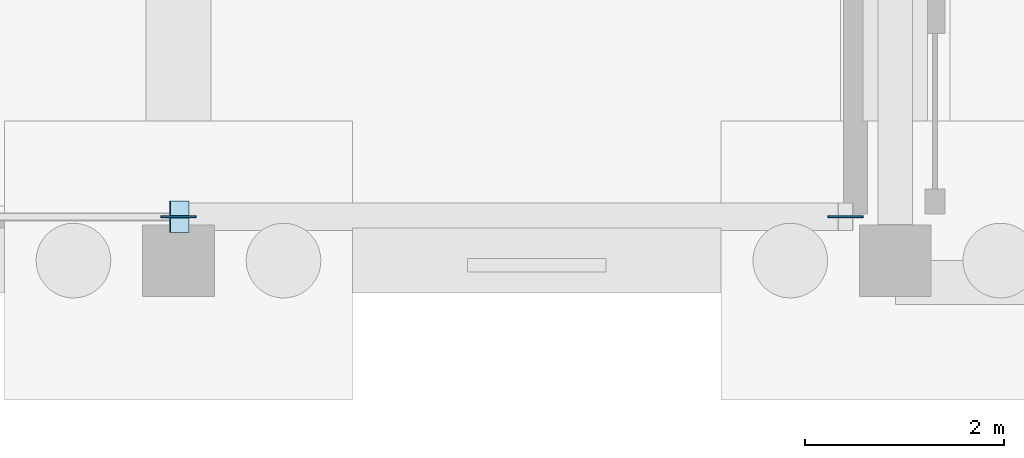
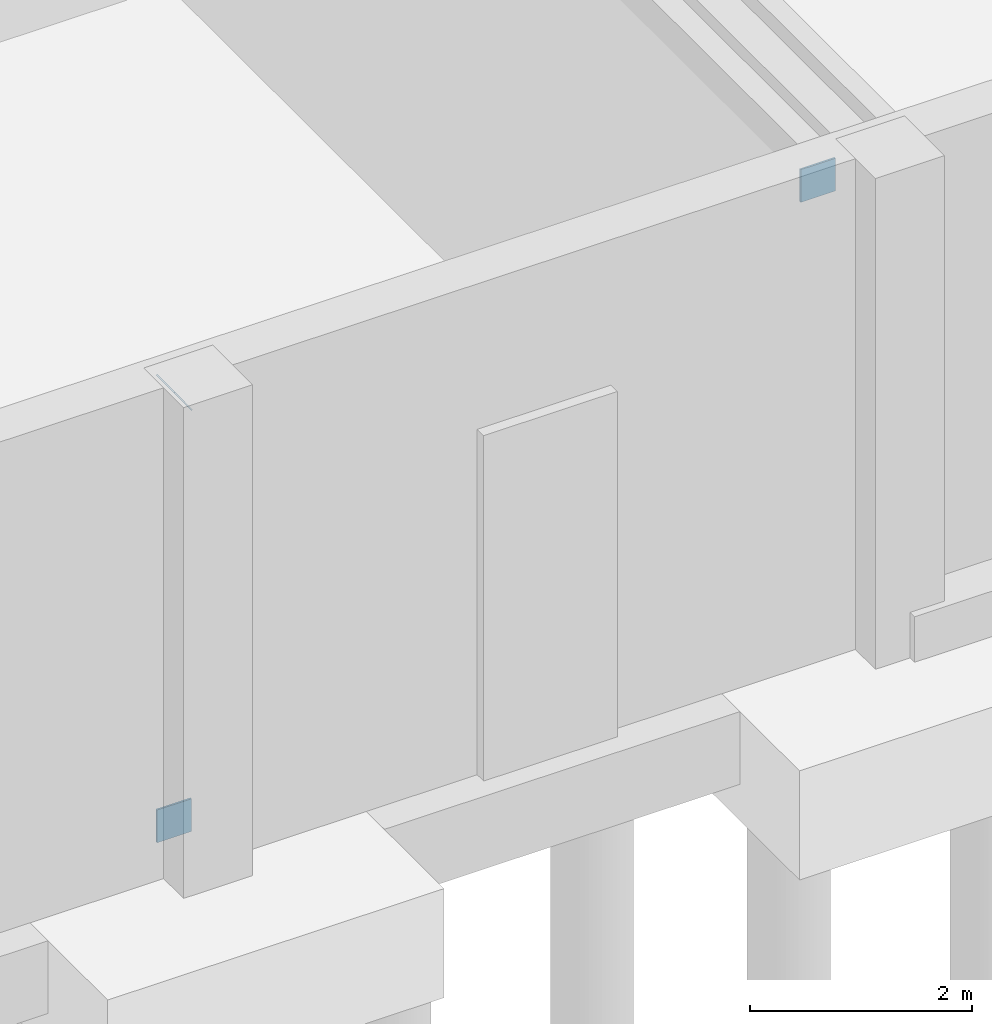
# One storey, part 62 of 91: 3 plates.
"""IFC4 building model written with IfcOpenShell, lengths in metres."""

from ifc_helpers import new_model, si_unit, direction, frame, origin, origin_2d, place, context, subcontext, project, spatial, rectangle, extrude, material, layer, layer_set, type_object, element, save


model = new_model("IFC4")

# Units and contexts
model_context = context("Model", 3, precision=1e-05, world=origin(), true_north=direction((0.0, 1.0)))
body_context = subcontext(model_context, "Body", "Model", "MODEL_VIEW")
ifc_project = project(units=[si_unit("LENGTHUNIT", "METRE"), si_unit("AREAUNIT", "SQUARE_METRE"), si_unit("VOLUMEUNIT", "CUBIC_METRE"), si_unit("PLANEANGLEUNIT", "RADIAN"), si_unit("MASSUNIT", "GRAM", prefix="KILO")], contexts=[model_context])

# Site, building, storey
site_placement = place(None, origin())
site = spatial("IfcSite", under=ifc_project, at=site_placement, CompositionType="ELEMENT")
building_placement = place(site_placement, origin())
building = spatial("IfcBuilding", under=site, at=building_placement, Name="Bramveld Media Centre", CompositionType="ELEMENT")
storey_placement = place(building_placement, origin())
storey = spatial("IfcBuildingStorey", under=building, at=storey_placement, Name="L00", CompositionType="ELEMENT", Elevation=0.0)

# Plates
ifc_material_1 = material(Name="Steel S355J2", Category="steel")
ifc_layer_1 = layer(ifc_material_1, 0.013916015625)
ifc_layer_set_1 = layer_set([ifc_layer_1], Name="Steel S355J2")
plate_type_1 = type_object("IfcPlateType", Name="PLT-CAP-14", PredefinedType="USERDEFINED", material=ifc_layer_set_1)
plate_placement = place(storey_placement, frame((36.0, 0.43994140625, 4.9501953125), z_axis=(0.818657473814, 0.0, 0.57428210887), x_axis=(0.0, 1.0, 0.0)))
element("IfcPlate", 1, at=plate_placement, inside=storey, type_object=plate_type_1, Name="Hollow section end cap plate CAP-BRC-V2-S5-1", ObjectType="CAP PLATE", PredefinedType="USERDEFINED", context=body_context, shape_type="SweptSolid", body=[
    extrude(rectangle(XDim=0.320068359375, YDim=0.320068359375, at=origin_2d()), origin(), (0.0, 0.0, 1.0), 0.013916015625),
])
ifc_material_2 = material(Name="Steel S355J2", Category="steel")
ifc_layer_2 = layer(ifc_material_2, 0.02001953125)
ifc_layer_set_2 = layer_set([ifc_layer_2], Name="Steel S355J2")
plate_type_2 = type_object("IfcPlateType", Name="PLT-GUSSET-BRC20", PredefinedType="USERDEFINED", material=ifc_layer_set_2)
for number, where, z_axis, x_axis, name in (
    (2, (36.0, 0.43994140625, 0.06982421875), (0.0, 0.0, 1.0), (1.0, 0.0, 0.0), "BRC-V2-S6 end gusset plate 0"),
    (3, (42.699951171875, 0.43994140625, 4.77001953125), (0.0, 0.0, 1.0), (1.0, 0.0, 0.0), "BRC-V2-S6 end gusset plate 1"),
):
    element("IfcPlate", number, at=place(storey_placement, frame(where, z_axis=z_axis, x_axis=x_axis)), inside=storey, type_object=plate_type_2, Name=name, ObjectType="GUSSET PLATE", PredefinedType="USERDEFINED", context=body_context, shape_type="SweptSolid", body=[
        extrude(rectangle(XDim=0.360107421875, YDim=0.02001953125, at=origin_2d()), origin(), (0.0, 0.0, 1.0), 0.360107421875),
    ])

save(model, "model.ifc")
